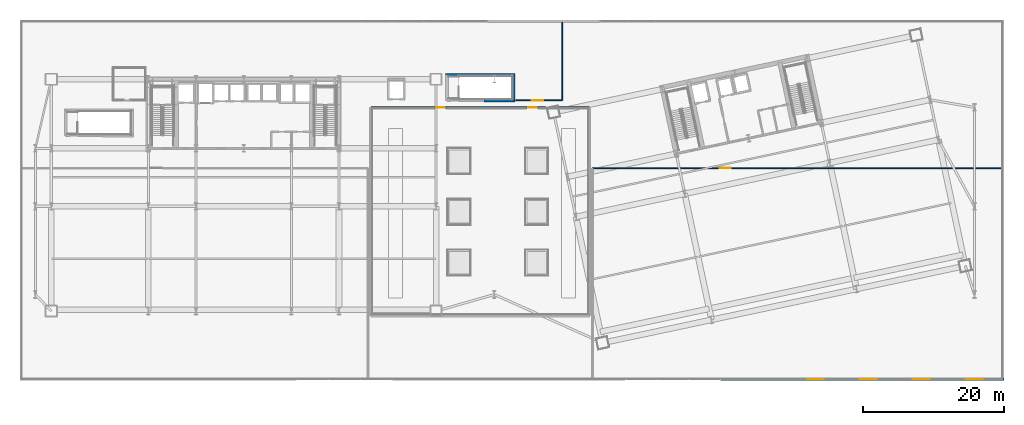
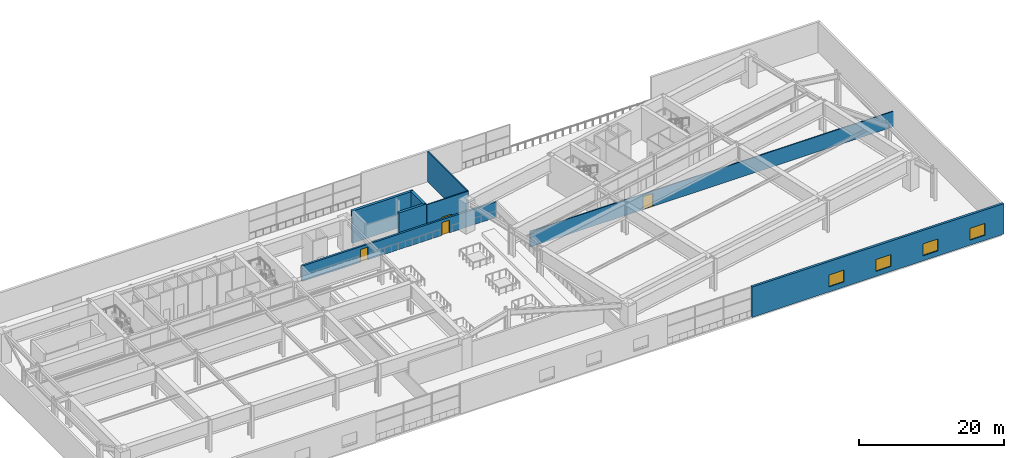
# One storey, part 18 of 29: 8 walls, 4 doors, 4 windows, 8 openings.
"""IFC4 building model written with IfcOpenShell, lengths in metres."""

import ifcopenshell
import ifcopenshell.guid

model = None  # the IFC model being written
_history = None  # IfcOwnerHistory: only IFC2X3 demands one
_inside = {}  # id of a spatial element -> (the spatial element, [elements in it])
_under = {}  # id of a project, library or spatial element -> (it, [spatial elements below it])
_declared = {}  # id of a project -> (the project, [libraries it declares])
_typed = {}  # id of a type object -> (the type object, [elements of that type])
_made_of = {}  # id of a material, layer set ... -> (it, [elements and type objects made of it])


def new_model(schema):
    """Start an empty IFC model of exactly this schema.

    Asked for "IFC4X3", IfcOpenShell would pick the latest addendum, in which some entities
    have other attributes; the version numbers below select the first issue.
    IFC2X3 requires an IfcOwnerHistory on every rooted entity: one is made here for all.
    """
    global model, _history
    if schema == "IFC4X3":
        model = ifcopenshell.file(schema_version=(4, 3, 0, 0))
    else:
        model = ifcopenshell.file(schema=schema)
    _inside.clear()
    _under.clear()
    _declared.clear()
    _typed.clear()
    _made_of.clear()
    _history = None
    if model.schema == "IFC2X3":
        org = make("IfcOrganization", Name="unknown")
        user = make(
            "IfcPersonAndOrganization",
            ThePerson=make("IfcPerson", FamilyName="unknown"),
            TheOrganization=org,
        )
        app = make(
            "IfcApplication",
            ApplicationDeveloper=org,
            Version="unknown",
            ApplicationFullName="unknown",
            ApplicationIdentifier="unknown",
        )
        _history = make(
            "IfcOwnerHistory",
            OwningUser=user,
            OwningApplication=app,
            ChangeAction="ADDED",
            CreationDate=0,
        )
    return model


def make(cls, **values):
    """One entity of the class cls with the attributes given. An attribute that is None is left unset."""
    return model.create_entity(
        cls, **{name: value for name, value in values.items() if value is not None}
    )


def rooted(cls, **values):
    """An entity with a GlobalId (a new one), such as an element, a storey or a relation."""
    return make(cls, GlobalId=ifcopenshell.guid.new(), OwnerHistory=_history, **values)


def si_unit(unit_type, name, prefix=None):
    """IfcSIUnit, for example si_unit("LENGTHUNIT", "METRE", prefix="MILLI")."""
    return make("IfcSIUnit", UnitType=unit_type, Prefix=prefix, Name=name)


def assignment(units):
    """IfcUnitAssignment: the units of a project."""
    return None if units is None else make("IfcUnitAssignment", Units=units)


def point(xyz):
    """IfcCartesianPoint."""
    return None if xyz is None else make("IfcCartesianPoint", Coordinates=xyz)


def direction(xyz):
    """IfcDirection."""
    return None if xyz is None else make("IfcDirection", DirectionRatios=xyz)


def frame(location, z_axis=None, x_axis=None):
    """IfcAxis2Placement3D, a coordinate frame: its origin and axes. An axis left out is left unset."""
    return make(
        "IfcAxis2Placement3D",
        Location=point(location),
        Axis=direction(z_axis),
        RefDirection=direction(x_axis),
    )


def frame_2d(location, x_axis=None):
    """IfcAxis2Placement2D, a coordinate frame in the plane: its origin and x axis."""
    return make(
        "IfcAxis2Placement2D", Location=point(location), RefDirection=direction(x_axis)
    )


def origin():
    """The frame at (0, 0, 0) with its axes left unset."""
    return frame((0.0, 0.0, 0.0))


def place(relative_to, where):
    """IfcLocalPlacement: puts the frame where relative to a parent placement (None: the world)."""
    return make(
        "IfcLocalPlacement", PlacementRelTo=relative_to, RelativePlacement=where
    )


def context(
    kind, dimensions, precision=None, world=None, true_north=None, identifier=None
):
    """IfcGeometricRepresentationContext, for example the 3D "Model" context."""
    return make(
        "IfcGeometricRepresentationContext",
        ContextIdentifier=identifier,
        ContextType=kind,
        CoordinateSpaceDimension=dimensions,
        Precision=precision,
        WorldCoordinateSystem=world,
        TrueNorth=true_north,
    )


def subcontext(parent, identifier, kind, view, scale=None):
    """IfcGeometricRepresentationSubContext, for example "Body" below "Model"."""
    return make(
        "IfcGeometricRepresentationSubContext",
        ContextIdentifier=identifier,
        ContextType=kind,
        ParentContext=parent,
        TargetScale=scale,
        TargetView=view,
    )


def project(units=None, contexts=None):
    """IfcProject with its units and contexts."""
    return rooted(
        "IfcProject",
        Name="project",
        RepresentationContexts=contexts,
        UnitsInContext=assignment(units),
    )


def spatial(cls, under=None, at=None, **own):
    """A site, building, storey or space (cls), placed at a placement, below another one or the project."""
    s = rooted(cls, ObjectPlacement=at, **own)
    if under is not None:
        _under.setdefault(under.id(), (under, []))[1].append(s)
    return s


def profile(cls, at=None, kind="AREA", **sizes):
    """A parametric profile (cls). Its sizes go by their IFC names, for example OverallWidth=200.0."""
    return make(cls, ProfileType=kind, Position=at, **sizes)


def rectangle(**sizes):
    """IfcRectangleProfileDef."""
    return profile("IfcRectangleProfileDef", **sizes)


def extrude(swept, where, along, depth):
    """IfcExtrudedAreaSolid: the profile swept, set in the frame where, extruded along a direction by depth."""
    return make(
        "IfcExtrudedAreaSolid",
        SweptArea=swept,
        Position=where,
        ExtrudedDirection=direction(along),
        Depth=depth,
    )


def shape(context_of_items, identifier, shape_type, items):
    """IfcShapeRepresentation: the items that make up one representation, for example the "Body"."""
    return make(
        "IfcShapeRepresentation",
        ContextOfItems=context_of_items,
        RepresentationIdentifier=identifier,
        RepresentationType=shape_type,
        Items=items,
    )


def material(Name=None, Category=None):
    """IfcMaterial."""
    return make("IfcMaterial", Name=Name, Category=Category)


def layer(
    of_material, thickness, ventilated=None, Name=None, Category=None, Priority=None
):
    """IfcMaterialLayer: one layer of a wall or slab, of a material (None: an air gap)."""
    return make(
        "IfcMaterialLayer",
        Material=of_material,
        LayerThickness=thickness,
        IsVentilated=ventilated,
        Name=Name,
        Category=Category,
        Priority=Priority,
    )


def layer_set(layers, Name=None):
    """IfcMaterialLayerSet."""
    return make("IfcMaterialLayerSet", MaterialLayers=layers, LayerSetName=Name)


def made_of(thing, what):
    """Note that an element or type object is made of a material, layer set ...; save() writes the relation."""
    if what is not None:
        _made_of.setdefault(what.id(), (what, []))[1].append(thing)
    return thing


def type_object(cls, material=None, **own):
    """A type object (cls), such as IfcWallType, which elements share."""
    return made_of(rooted(cls, **own), material)


def element(
    cls,
    number,
    at=None,
    inside=None,
    cuts=None,
    type_object=None,
    material=None,
    context=None,
    identifier="Body",
    shape_type=None,
    held_by="IfcProductDefinitionShape",
    body=None,
    shapes=None,
    **own,
):
    """One element of the class cls, such as IfcWall. Its Tag is "e" and its number.

    at: its placement. inside: the storey or other place that contains it. cuts: it is an
    opening in that element (IfcRelVoidsElement). A single representation is given by context,
    identifier, shape_type and body (its items); several are given by shapes. held_by: the class
    of the entity that holds the representations. save() writes the other relations.
    """
    e = rooted(cls, Tag="e%d" % number, ObjectPlacement=at, **own)
    if body is not None:
        shapes = [shape(context, identifier, shape_type, body)]
    if shapes is not None:
        e.Representation = make(held_by, Representations=shapes)
    if inside is not None:
        _inside.setdefault(inside.id(), (inside, []))[1].append(e)
    if cuts is not None:
        rooted(
            "IfcRelVoidsElement", RelatingBuildingElement=cuts, RelatedOpeningElement=e
        )
    if type_object is not None:
        _typed.setdefault(type_object.id(), (type_object, []))[1].append(e)
    return made_of(e, material)


def fill(opening, filler):
    """IfcRelFillsElement: the door or window that sits in an opening."""
    return rooted(
        "IfcRelFillsElement",
        RelatingOpeningElement=opening,
        RelatedBuildingElement=filler,
    )


def aggregate(whole, parts):
    """IfcRelAggregates: a whole, such as a stair, and the parts it consists of."""
    return rooted("IfcRelAggregates", RelatingObject=whole, RelatedObjects=parts)


def save(model, path):
    """Write the relations noted so far, then the file.

    IfcRelAggregates (storeys below a building ...), IfcRelContainedInSpatialStructure (elements
    in a storey), IfcRelDefinesByType, IfcRelAssociatesMaterial and IfcRelDeclares: one each for
    every whole, place, type object, material and project.
    """
    for whole, parts in _under.values():
        aggregate(whole, parts)
    for where, things in _inside.values():
        rooted(
            "IfcRelContainedInSpatialStructure",
            RelatedElements=things,
            RelatingStructure=where,
        )
    for kind, things in _typed.values():
        rooted("IfcRelDefinesByType", RelatedObjects=things, RelatingType=kind)
    for what, things in _made_of.values():
        rooted("IfcRelAssociatesMaterial", RelatedObjects=things, RelatingMaterial=what)
    for by, libraries in _declared.values():
        rooted("IfcRelDeclares", RelatingContext=by, RelatedDefinitions=libraries)
    model.write(path)


model = new_model("IFC4")

# Units and contexts
model_context = context("Model", 3, precision=1e-05, world=origin(), true_north=direction((0.0, 1.0)))
body_context = subcontext(model_context, "Body", "Model", "MODEL_VIEW")
ifc_project = project(units=[si_unit("LENGTHUNIT", "METRE"), si_unit("AREAUNIT", "SQUARE_METRE"), si_unit("VOLUMEUNIT", "CUBIC_METRE"), si_unit("PLANEANGLEUNIT", "RADIAN"), si_unit("MASSUNIT", "GRAM", prefix="KILO")], contexts=[model_context])

# Site, building, storey
site_placement = place(None, origin())
site = spatial("IfcSite", under=ifc_project, at=site_placement, CompositionType="ELEMENT")
building_placement = place(site_placement, origin())
building = spatial("IfcBuilding", under=site, at=building_placement, Name="Haevon Station Towers", CompositionType="ELEMENT")
storey_placement = place(building_placement, frame((0.0, 0.0, 25.199951171875)))
storey = spatial("IfcBuildingStorey", under=building, at=storey_placement, Name="L05", CompositionType="ELEMENT", Elevation=25.199951171875)

# Walls
ifc_material_1 = material(Name="Concrete C60/75", Category="concrete")
ifc_layer_1 = layer(ifc_material_1, 0.39990234375)
ifc_layer_set_1 = layer_set([ifc_layer_1], Name="Concrete C60/75")
wall_type_1 = type_object("IfcWallType", Name="WL-CR400", PredefinedType="SHEAR", material=ifc_layer_set_1)
wall_1_placement = place(storey_placement, frame((66.10009765625, 48.60009765625, 0.0), z_axis=(0.0, 0.0, 1.0), x_axis=(1.0, 0.0, 0.0)))
element("IfcWall", 1, at=wall_1_placement, inside=storey, type_object=wall_type_1, Name="WL-ST6CR-L05-N", PredefinedType="SHEAR", context=body_context, shape_type="SweptSolid", body=[
    extrude(rectangle(XDim=9.7998046875, YDim=0.39990234375, at=frame_2d((4.89990234375, 0.0))), origin(), (0.0, 0.0, 1.0), 5.400146484375),
])
wall_2_placement = place(storey_placement, frame((75.699951171875, 45.0, 0.0), z_axis=(0.0, 0.0, 1.0), x_axis=(0.0, 1.0, 0.0)))
element("IfcWall", 2, at=wall_2_placement, inside=storey, type_object=wall_type_1, Name="WL-ST6CR-L05-E", PredefinedType="SHEAR", context=body_context, shape_type="SweptSolid", body=[
    extrude(rectangle(XDim=3.60009765625, YDim=0.39990234375, at=frame_2d((1.800048828125, 0.0))), origin(), (0.0, 0.0, 1.0), 5.400146484375),
])
wall_3_placement = place(storey_placement, frame((71.5, 45.0, 0.0), z_axis=(0.0, 0.0, 1.0), x_axis=(1.0, 0.0, 0.0)))
element("IfcWall", 3, at=wall_3_placement, inside=storey, type_object=wall_type_1, Name="WL-ST6CR-L05-S2", PredefinedType="SHEAR", context=body_context, shape_type="SweptSolid", body=[
    extrude(rectangle(XDim=4.39990234375, YDim=0.39990234375, at=frame_2d((2.199951171875, 0.0))), origin(), (0.0, 0.0, 1.0), 5.400146484375),
])

# Wall, openings, doors
ifc_material_2 = material(Name="Precast concrete C45/55", Category="concrete")
ifc_layer_2 = layer(ifc_material_2, 0.300048828125)
ifc_layer_set_2 = layer_set([ifc_layer_2], Name="Precast concrete C45/55")
wall_type_2 = type_object("IfcWallType", Name="WL-EXT-PIER300", PredefinedType="SOLIDWALL", material=ifc_layer_set_2)
wall_4_placement = place(storey_placement, frame((86.5, 44.0, 0.0), z_axis=(0.0, 0.0, 1.0), x_axis=(-1.0, 0.0, 0.0)))
wall_4 = element("IfcWall", 4, at=wall_4_placement, inside=storey, type_object=wall_type_2, Name="WL-L05-CTYD-N", PredefinedType="SOLIDWALL", context=body_context, shape_type="SweptSolid", body=[
    extrude(rectangle(XDim=31.0, YDim=0.300048828125, at=frame_2d((15.5, 0.0))), origin(), (0.0, 0.0, 1.0), 2.630126953125),
])
opening_1_placement = place(wall_4_placement, frame((7.5, 0.0, 0.0)))
opening_1 = element("IfcOpeningElement", 5, at=opening_1_placement, cuts=wall_4, Name="Opening DR-L05-GARDEN-1", PredefinedType="OPENING", context=body_context, shape_type="SweptSolid", body=[
    extrude(rectangle(XDim=1.199951171875, YDim=2.14990234375, at=frame_2d((0.60009765625, 1.074951171875))), frame((0.0, 0.159912109375, 0.0), z_axis=(0.0, -1.0, 0.0), x_axis=(1.0, 0.0, 0.0)), (0.0, 0.0, 1.0), 0.320068359375),
])
opening_2_placement = place(wall_4_placement, frame((20.5, 0.0, 0.0)))
opening_2 = element("IfcOpeningElement", 6, at=opening_2_placement, cuts=wall_4, Name="Opening DR-L05-GARDEN-2", PredefinedType="OPENING", context=body_context, shape_type="SweptSolid", body=[
    extrude(rectangle(XDim=1.199951171875, YDim=2.14990234375, at=frame_2d((0.60009765625, 1.074951171875))), frame((0.0, 0.159912109375, 0.0), z_axis=(0.0, -1.0, 0.0), x_axis=(1.0, 0.0, 0.0)), (0.0, 0.0, 1.0), 0.320068359375),
])
ifc_material_3 = material(Name="Thermally broken anodised aluminium and laminated safety glass", Category="aluminium")
door_type_1 = type_object("IfcDoorType", Name="DR-BALC-1200", OperationType="NOTDEFINED", PredefinedType="DOOR", material=ifc_material_3)
door_1_placement = place(opening_1_placement, origin())
door_1 = element("IfcDoor", 7, at=door_1_placement, inside=storey, type_object=door_type_1, Name="L05 Podium Roof Garden Lounge Door 1", OperationType="SINGLE_SWING_LEFT", OverallHeight=2.14990234375, OverallWidth=1.199951171875, PredefinedType="DOOR", context=body_context, shape_type="SweptSolid", body=[
    extrude(rectangle(XDim=1.199951171875, YDim=2.14990234375, at=frame_2d((0.60009765625, 1.074951171875))), frame((0.0, 0.02490234375, 0.0), z_axis=(0.0, -1.0, 0.0), x_axis=(1.0, 0.0, 0.0)), (0.0, 0.0, 1.0), 0.050048828125),
])
fill(opening_1, door_1)
door_2_placement = place(opening_2_placement, origin())
door_2 = element("IfcDoor", 8, at=door_2_placement, inside=storey, type_object=door_type_1, Name="L05 Podium Roof Garden Lounge Door 2", OperationType="SINGLE_SWING_RIGHT", OverallHeight=2.14990234375, OverallWidth=1.199951171875, PredefinedType="DOOR", context=body_context, shape_type="SweptSolid", body=[
    extrude(rectangle(XDim=1.199951171875, YDim=2.14990234375, at=frame_2d((0.60009765625, 1.074951171875))), frame((0.0, 0.02490234375, 0.0), z_axis=(0.0, -1.0, 0.0), x_axis=(1.0, 0.0, 0.0)), (0.0, 0.0, 1.0), 0.050048828125),
])
fill(opening_2, door_2)

# Wall, openings, windows
ifc_layer_3 = layer(ifc_material_2, 0.360107421875)
ifc_layer_set_3 = layer_set([ifc_layer_3], Name="Precast concrete C45/55")
wall_type_3 = type_object("IfcWallType", Name="WL-EXT-POD360", PredefinedType="SOLIDWALL", material=ifc_layer_set_3)
wall_5_placement = place(storey_placement, frame((145.179931640625, 5.5, 0.0), z_axis=(0.0, 0.0, 1.0), x_axis=(-1.0, 0.0, 0.0)))
wall_5 = element("IfcWall", 9, at=wall_5_placement, inside=storey, type_object=wall_type_3, Name="WL-POD-L05-S1", PredefinedType="SOLIDWALL", context=body_context, shape_type="SweptSolid", body=[
    extrude(rectangle(XDim=40.179931640625, YDim=0.360107421875, at=frame_2d((20.08984375, 0.0))), origin(), (0.0, 0.0, 1.0), 5.130126953125),
])
opening_3_placement = place(wall_5_placement, frame((3.0, 0.0, 0.85009765625)))
opening_3 = element("IfcOpeningElement", 10, at=opening_3_placement, cuts=wall_5, Name="Opening WN-P240", PredefinedType="OPENING", context=body_context, shape_type="SweptSolid", body=[
    extrude(rectangle(XDim=2.39990234375, YDim=2.0, at=frame_2d((1.199951171875, 1.0))), frame((0.0, 0.18994140625, 0.0), z_axis=(0.0, -1.0, 0.0), x_axis=(1.0, 0.0, 0.0)), (0.0, 0.0, 1.0), 0.380126953125),
])
opening_4_placement = place(wall_5_placement, frame((10.5, 0.0, 0.85009765625)))
opening_4 = element("IfcOpeningElement", 11, at=opening_4_placement, cuts=wall_5, Name="Opening WN-P240", PredefinedType="OPENING", context=body_context, shape_type="SweptSolid", body=[
    extrude(rectangle(XDim=2.39990234375, YDim=2.0, at=frame_2d((1.199951171875, 1.0))), frame((0.0, 0.18994140625, 0.0), z_axis=(0.0, -1.0, 0.0), x_axis=(1.0, 0.0, 0.0)), (0.0, 0.0, 1.0), 0.380126953125),
])
opening_5_placement = place(wall_5_placement, frame((18.0, 0.0, 0.85009765625)))
opening_5 = element("IfcOpeningElement", 12, at=opening_5_placement, cuts=wall_5, Name="Opening WN-P240", PredefinedType="OPENING", context=body_context, shape_type="SweptSolid", body=[
    extrude(rectangle(XDim=2.39990234375, YDim=2.0, at=frame_2d((1.199951171875, 1.0))), frame((0.0, 0.18994140625, 0.0), z_axis=(0.0, -1.0, 0.0), x_axis=(1.0, 0.0, 0.0)), (0.0, 0.0, 1.0), 0.380126953125),
])
opening_6_placement = place(wall_5_placement, frame((25.5, 0.0, 0.85009765625)))
opening_6 = element("IfcOpeningElement", 13, at=opening_6_placement, cuts=wall_5, Name="Opening WN-P240", PredefinedType="OPENING", context=body_context, shape_type="SweptSolid", body=[
    extrude(rectangle(XDim=2.39990234375, YDim=2.0, at=frame_2d((1.199951171875, 1.0))), frame((0.0, 0.18994140625, 0.0), z_axis=(0.0, -1.0, 0.0), x_axis=(1.0, 0.0, 0.0)), (0.0, 0.0, 1.0), 0.380126953125),
])
ifc_material_4 = material(Name="Low-E triple glazing in thermally broken aluminium", Category="aluminium")
window_type = type_object("IfcWindowType", Name="WN-P240", PartitioningType="SINGLE_PANEL", PredefinedType="WINDOW", material=ifc_material_4)
window_1_placement = place(opening_3_placement, origin())
window_1 = element("IfcWindow", 14, at=window_1_placement, inside=storey, type_object=window_type, Name="WN-POD-L05-S1-01", OverallHeight=2.0, OverallWidth=2.39990234375, PartitioningType="SINGLE_PANEL", PredefinedType="WINDOW", context=body_context, shape_type="SweptSolid", body=[
    extrude(rectangle(XDim=2.39990234375, YDim=2.0, at=frame_2d((1.199951171875, 1.0))), frame((0.0, 0.030029296875, 0.0), z_axis=(0.0, -1.0, 0.0), x_axis=(1.0, 0.0, 0.0)), (0.0, 0.0, 1.0), 0.06005859375),
])
fill(opening_3, window_1)
window_2_placement = place(opening_4_placement, origin())
window_2 = element("IfcWindow", 15, at=window_2_placement, inside=storey, type_object=window_type, Name="WN-POD-L05-S1-02", OverallHeight=2.0, OverallWidth=2.39990234375, PartitioningType="SINGLE_PANEL", PredefinedType="WINDOW", context=body_context, shape_type="SweptSolid", body=[
    extrude(rectangle(XDim=2.39990234375, YDim=2.0, at=frame_2d((1.199951171875, 1.0))), frame((0.0, 0.030029296875, 0.0), z_axis=(0.0, -1.0, 0.0), x_axis=(1.0, 0.0, 0.0)), (0.0, 0.0, 1.0), 0.06005859375),
])
fill(opening_4, window_2)
window_3_placement = place(opening_5_placement, origin())
window_3 = element("IfcWindow", 16, at=window_3_placement, inside=storey, type_object=window_type, Name="WN-POD-L05-S1-03", OverallHeight=2.0, OverallWidth=2.39990234375, PartitioningType="SINGLE_PANEL", PredefinedType="WINDOW", context=body_context, shape_type="SweptSolid", body=[
    extrude(rectangle(XDim=2.39990234375, YDim=2.0, at=frame_2d((1.199951171875, 1.0))), frame((0.0, 0.030029296875, 0.0), z_axis=(0.0, -1.0, 0.0), x_axis=(1.0, 0.0, 0.0)), (0.0, 0.0, 1.0), 0.06005859375),
])
fill(opening_5, window_3)
window_4_placement = place(opening_6_placement, origin())
window_4 = element("IfcWindow", 17, at=window_4_placement, inside=storey, type_object=window_type, Name="WN-POD-L05-S1-04", OverallHeight=2.0, OverallWidth=2.39990234375, PartitioningType="SINGLE_PANEL", PredefinedType="WINDOW", context=body_context, shape_type="SweptSolid", body=[
    extrude(rectangle(XDim=2.39990234375, YDim=2.0, at=frame_2d((1.199951171875, 1.0))), frame((0.0, 0.030029296875, 0.0), z_axis=(0.0, -1.0, 0.0), x_axis=(1.0, 0.0, 0.0)), (0.0, 0.0, 1.0), 0.06005859375),
])
fill(opening_6, window_4)

# Wall, opening, door
ifc_material_5 = material(Name="Gypsum board on steel stud", Category="steel")
ifc_layer_4 = layer(ifc_material_5, 0.159912109375)
ifc_layer_set_4 = layer_set([ifc_layer_4], Name="Gypsum board on steel stud")
wall_type_4 = type_object("IfcWallType", Name="WL-PRT160", PredefinedType="PARTITIONING", material=ifc_layer_set_4)
wall_6_placement = place(storey_placement, frame((86.89990234375, 35.39990234375, 0.0), z_axis=(0.0, 0.0, 1.0), x_axis=(1.0, 0.0, 0.0)))
wall_6 = element("IfcWall", 18, at=wall_6_placement, inside=storey, type_object=wall_type_4, Name="WL-L05-EASTN", PredefinedType="PARTITIONING", context=body_context, shape_type="SweptSolid", body=[
    extrude(rectangle(XDim=57.9501953125, YDim=0.159912109375, at=frame_2d((28.97509765625, 0.0))), origin(), (0.0, 0.0, 1.0), 2.630126953125),
])
opening_7_placement = place(wall_6_placement, frame((18.0, 0.0, 0.0)))
opening_7 = element("IfcOpeningElement", 19, at=opening_7_placement, cuts=wall_6, Name="Opening DR-WL-L05-EASTN-1", PredefinedType="OPENING", context=body_context, shape_type="SweptSolid", body=[
    extrude(rectangle(XDim=1.60009765625, YDim=2.199951171875, at=frame_2d((0.800048828125, 1.10009765625))), frame((0.0, 0.08984375, 0.0), z_axis=(0.0, -1.0, 0.0), x_axis=(1.0, 0.0, 0.0)), (0.0, 0.0, 1.0), 0.179931640625),
])
ifc_material_6 = material(Name="Engineered oak timber", Category="wood")
door_type_2 = type_object("IfcDoorType", Name="DR-POD-1600", OperationType="NOTDEFINED", PredefinedType="DOOR", material=ifc_material_6)
door_3_placement = place(opening_7_placement, origin())
door_3 = element("IfcDoor", 20, at=door_3_placement, inside=storey, type_object=door_type_2, Name="L05 Interior Door WL-L05-EASTN-1", OperationType="DOUBLE_DOOR_SINGLE_SWING", OverallHeight=2.199951171875, OverallWidth=1.60009765625, PredefinedType="DOOR", context=body_context, shape_type="SweptSolid", body=[
    extrude(rectangle(XDim=1.60009765625, YDim=2.199951171875, at=frame_2d((0.800048828125, 1.10009765625))), frame((0.0, 0.02490234375, 0.0), z_axis=(0.0, -1.0, 0.0), x_axis=(1.0, 0.0, 0.0)), (0.0, 0.0, 1.0), 0.050048828125),
])
fill(opening_7, door_3)

wall_7_placement = place(storey_placement, frame((76.0, 45.0, 0.0), z_axis=(0.0, 0.0, 1.0), x_axis=(1.0, 0.0, 0.0)))
wall_7 = element("IfcWall", 21, at=wall_7_placement, inside=storey, type_object=wall_type_4, Name="WL-L05-NORTH", PredefinedType="PARTITIONING", context=body_context, shape_type="SweptSolid", body=[
    extrude(rectangle(XDim=6.60009765625, YDim=0.159912109375, at=frame_2d((3.300048828125, 0.0))), origin(), (0.0, 0.0, 1.0), 5.130126953125),
])
opening_8_placement = place(wall_7_placement, frame((2.300048828125, 0.0, 0.0)))
opening_8 = element("IfcOpeningElement", 22, at=opening_8_placement, cuts=wall_7, Name="Opening DR-WL-L05-NORTH-1", PredefinedType="OPENING", context=body_context, shape_type="SweptSolid", body=[
    extrude(rectangle(XDim=1.60009765625, YDim=2.199951171875, at=frame_2d((0.800048828125, 1.10009765625))), frame((0.0, 0.08984375, 0.0), z_axis=(0.0, -1.0, 0.0), x_axis=(1.0, 0.0, 0.0)), (0.0, 0.0, 1.0), 0.179931640625),
])
door_4_placement = place(opening_8_placement, origin())
door_4 = element("IfcDoor", 23, at=door_4_placement, inside=storey, type_object=door_type_2, Name="L05 Interior Door WL-L05-NORTH-1", OperationType="DOUBLE_DOOR_SINGLE_SWING", OverallHeight=2.199951171875, OverallWidth=1.60009765625, PredefinedType="DOOR", context=body_context, shape_type="SweptSolid", body=[
    extrude(rectangle(XDim=1.60009765625, YDim=2.199951171875, at=frame_2d((0.800048828125, 1.10009765625))), frame((0.0, 0.02490234375, 0.0), z_axis=(0.0, -1.0, 0.0), x_axis=(1.0, 0.0, 0.0)), (0.0, 0.0, 1.0), 0.050048828125),
])
fill(opening_8, door_4)

# Wall
wall_8_placement = place(storey_placement, frame((82.60009765625, 45.0, 0.0), z_axis=(0.0, 0.0, 1.0), x_axis=(0.0, 1.0, 0.0)))
element("IfcWall", 24, at=wall_8_placement, inside=storey, type_object=wall_type_4, Name="WL-L05-NORTHE", PredefinedType="PARTITIONING", context=body_context, shape_type="SweptSolid", body=[
    extrude(rectangle(XDim=11.050048828125, YDim=0.159912109375, at=frame_2d((5.52490234375, 0.0))), origin(), (0.0, 0.0, 1.0), 5.130126953125),
])

save(model, "model.ifc")
